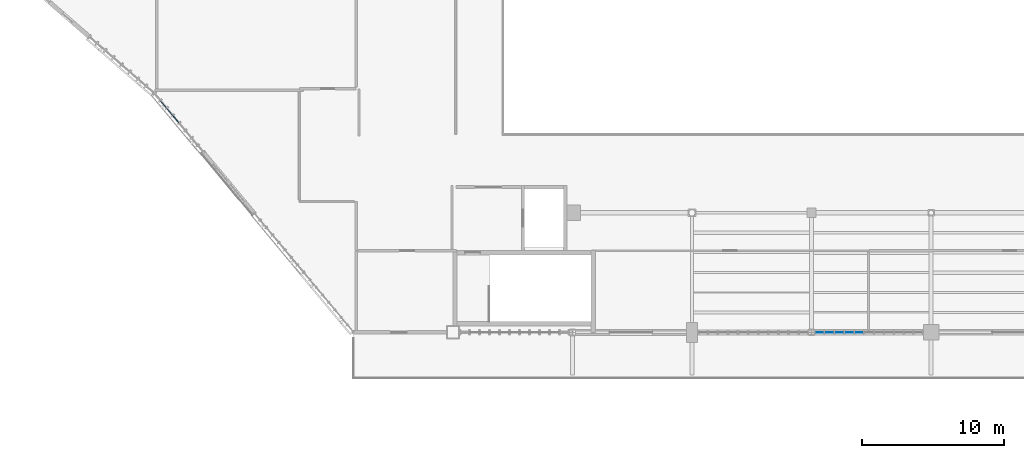
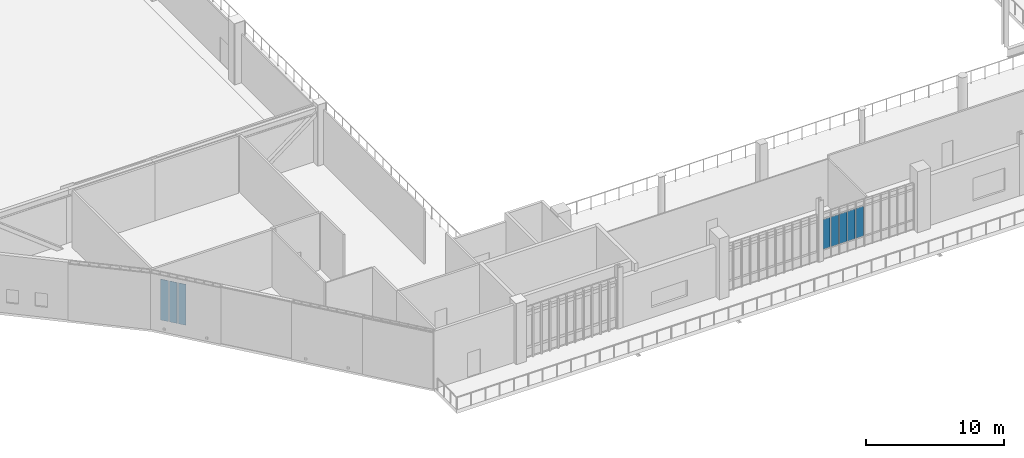
# One storey, part 73 of 135: 8 plates, 2 elements without a shape of their own.
"""IFC4 building model written with IfcOpenShell, lengths in metres."""

from ifc_helpers import new_model, si_unit, direction, frame, origin, origin_2d, place, context, subcontext, project, spatial, rectangle, extrude, material, layer, layer_set, type_object, element, aggregate, save


model = new_model("IFC4")

# Units and contexts
model_context = context("Model", 3, precision=1e-05, world=origin(), true_north=direction((0.0, 1.0)))
body_context = subcontext(model_context, "Body", "Model", "MODEL_VIEW")
ifc_project = project(units=[si_unit("LENGTHUNIT", "METRE"), si_unit("AREAUNIT", "SQUARE_METRE"), si_unit("VOLUMEUNIT", "CUBIC_METRE"), si_unit("PLANEANGLEUNIT", "RADIAN"), si_unit("MASSUNIT", "GRAM", prefix="KILO")], contexts=[model_context])

# Site, building, storey
site_placement = place(None, origin())
site = spatial("IfcSite", under=ifc_project, at=site_placement, CompositionType="ELEMENT")
building_placement = place(site_placement, origin())
building = spatial("IfcBuilding", under=site, at=building_placement, Name="Larkvane Passage Sports Hall", CompositionType="ELEMENT")
storey_placement = place(building_placement, frame((0.0, 0.0, 16.800048828125)))
storey = spatial("IfcBuildingStorey", under=building, at=storey_placement, Name="L03", CompositionType="ELEMENT", Elevation=16.800048828125)

# Curtain wall, plates
ifc_material_1 = material(Name="Thermally broken aluminium and low-E glazing", Category="aluminium")
curtain_wall_type_1 = type_object("IfcCurtainWallType", Name="CW-UNIT-VEIL", PredefinedType="USERDEFINED", material=ifc_material_1)
curtain_wall_1_placement = place(storey_placement, origin())
curtain_wall_1 = element("IfcCurtainWall", 1, at=curtain_wall_1_placement, inside=storey, type_object=curtain_wall_type_1, Name="Curtain wall CW5-L03-125", ObjectType="UNITISED CURTAIN WALL", PredefinedType="USERDEFINED")
ifc_material_2 = material(Name="Laminated acoustic low-E glazing", Category="glass")
ifc_layer_1 = layer(ifc_material_2, 0.031982421875)
ifc_layer_set_1 = layer_set([ifc_layer_1], Name="Laminated acoustic low-E glazing")
plate_type_1 = type_object("IfcPlateType", Name="CWP-VIS-32", PredefinedType="CURTAIN_PANEL", material=ifc_layer_set_1)
plate_1_placement = place(storey_placement, frame((63.330810546875, 22.800048828125, 0.884765625), z_axis=(0.0, 0.0, 1.0), x_axis=(-1.0, 0.0, 0.0)))
plate_1 = element("IfcPlate", 2, at=plate_1_placement, type_object=plate_type_1, Name="CW-02 panel 7.2", PredefinedType="CURTAIN_PANEL", context=body_context, shape_type="SweptSolid", body=[
    extrude(rectangle(XDim=0.6259765625, YDim=0.031982421875, at=origin_2d()), origin(), (0.0, 0.0, 1.0), 2.637939453125),
])
plate_2_placement = place(storey_placement, frame((62.635009765625, 22.800048828125, 0.884765625), z_axis=(0.0, 0.0, 1.0), x_axis=(-1.0, 0.0, 0.0)))
plate_2 = element("IfcPlate", 3, at=plate_2_placement, type_object=plate_type_1, Name="CW-02 panel 8.2", PredefinedType="CURTAIN_PANEL", context=body_context, shape_type="SweptSolid", body=[
    extrude(rectangle(XDim=0.6259765625, YDim=0.031982421875, at=origin_2d()), origin(), (0.0, 0.0, 1.0), 2.637939453125),
])
plate_3_placement = place(storey_placement, frame((61.939208984375, 22.800048828125, 0.884765625), z_axis=(0.0, 0.0, 1.0), x_axis=(-1.0, 0.0, 0.0)))
plate_3 = element("IfcPlate", 4, at=plate_3_placement, type_object=plate_type_1, Name="CW-02 panel 9.2", PredefinedType="CURTAIN_PANEL", context=body_context, shape_type="SweptSolid", body=[
    extrude(rectangle(XDim=0.6259765625, YDim=0.031982421875, at=origin_2d()), origin(), (0.0, 0.0, 1.0), 2.637939453125),
])
plate_4_placement = place(storey_placement, frame((61.243408203125, 22.800048828125, 0.884765625), z_axis=(0.0, 0.0, 1.0), x_axis=(-1.0, 0.0, 0.0)))
plate_4 = element("IfcPlate", 5, at=plate_4_placement, type_object=plate_type_1, Name="CW-02 panel 10.2", PredefinedType="CURTAIN_PANEL", context=body_context, shape_type="SweptSolid", body=[
    extrude(rectangle(XDim=0.6259765625, YDim=0.031982421875, at=origin_2d()), origin(), (0.0, 0.0, 1.0), 2.637939453125),
])
plate_5_placement = place(storey_placement, frame((60.56494140625, 22.800048828125, 0.884765625), z_axis=(0.0, 0.0, 1.0), x_axis=(-1.0, 0.0, 0.0)))
plate_5 = element("IfcPlate", 6, at=plate_5_placement, type_object=plate_type_1, Name="CW-02 panel 11.2", PredefinedType="CURTAIN_PANEL", context=body_context, shape_type="SweptSolid", body=[
    extrude(rectangle(XDim=0.5908203125, YDim=0.031982421875, at=origin_2d()), origin(), (0.0, 0.0, 1.0), 2.637939453125),
])
aggregate(curtain_wall_1, [plate_1, plate_2, plate_3, plate_4, plate_5])

curtain_wall_type_2 = type_object("IfcCurtainWallType", Name="CW-STICK-FOYER", PredefinedType="USERDEFINED", material=ifc_material_1)
curtain_wall_2_placement = place(storey_placement, origin())
curtain_wall_2 = element("IfcCurtainWall", 7, at=curtain_wall_2_placement, inside=storey, type_object=curtain_wall_type_2, Name="Curtain wall CW5-L03-130", ObjectType="STICK CURTAIN WALL", PredefinedType="USERDEFINED")
ifc_material_3 = material(Name="High-impact court low-E glazing", Category="glass")
ifc_layer_2 = layer(ifc_material_3, 0.035888671875)
ifc_layer_set_2 = layer_set([ifc_layer_2], Name="High-impact court low-E glazing")
plate_type_2 = type_object("IfcPlateType", Name="CWP-VIS-36", PredefinedType="CURTAIN_PANEL", material=ifc_layer_set_2)
plate_6_placement = place(storey_placement, frame((15.331298828125, 37.762451171875, 0.89501953125), z_axis=(0.0, 0.0, 1.0), x_axis=(-0.640184399661, 0.7682212796, 0.0)))
plate_6 = element("IfcPlate", 8, at=plate_6_placement, type_object=plate_type_2, Name="CW-03 panel 5.2", PredefinedType="CURTAIN_PANEL", context=body_context, shape_type="SweptSolid", body=[
    extrude(rectangle(XDim=0.593505859375, YDim=0.035888671875, at=origin_2d()), origin(), (0.0, 0.0, 1.0), 3.610107421875),
])
plate_7_placement = place(storey_placement, frame((14.893798828125, 38.28759765625, 0.89501953125), z_axis=(0.0, 0.0, 1.0), x_axis=(-0.640184399661, 0.7682212796, 0.0)))
plate_7 = element("IfcPlate", 9, at=plate_7_placement, type_object=plate_type_2, Name="CW-03 panel 6.2", PredefinedType="CURTAIN_PANEL", context=body_context, shape_type="SweptSolid", body=[
    extrude(rectangle(XDim=0.593505859375, YDim=0.035888671875, at=origin_2d()), origin(), (0.0, 0.0, 1.0), 3.610107421875),
])
plate_8_placement = place(storey_placement, frame((14.456298828125, 38.8125, 0.89501953125), z_axis=(0.0, 0.0, 1.0), x_axis=(-0.640184399661, 0.7682212796, 0.0)))
plate_8 = element("IfcPlate", 10, at=plate_8_placement, type_object=plate_type_2, Name="CW-03 panel 7.2", PredefinedType="CURTAIN_PANEL", context=body_context, shape_type="SweptSolid", body=[
    extrude(rectangle(XDim=0.593505859375, YDim=0.035888671875, at=origin_2d()), origin(), (0.0, 0.0, 1.0), 3.610107421875),
])
aggregate(curtain_wall_2, [plate_6, plate_7, plate_8])

save(model, "model.ifc")
